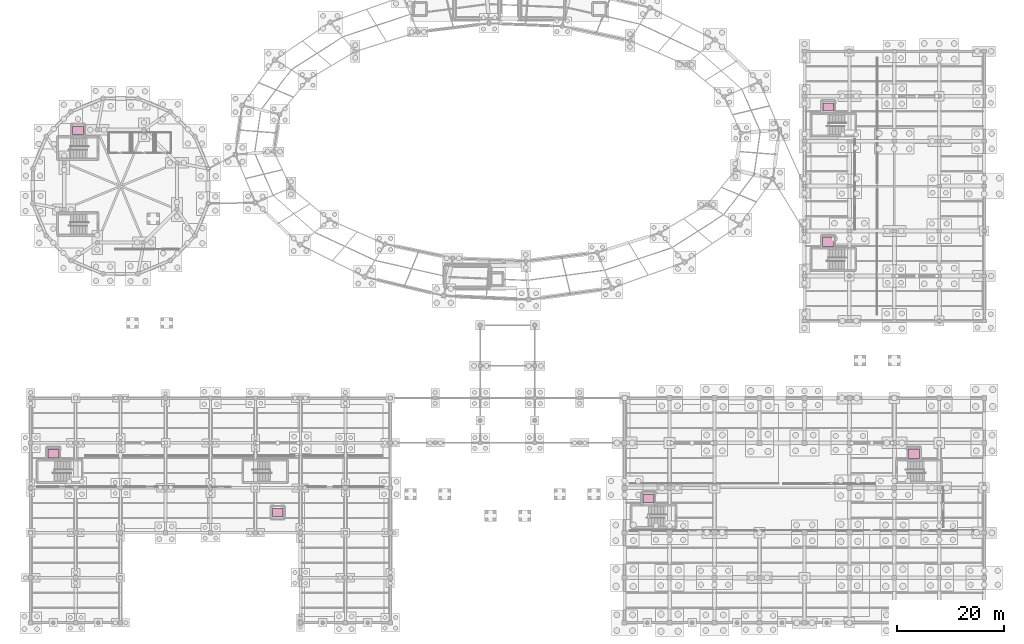
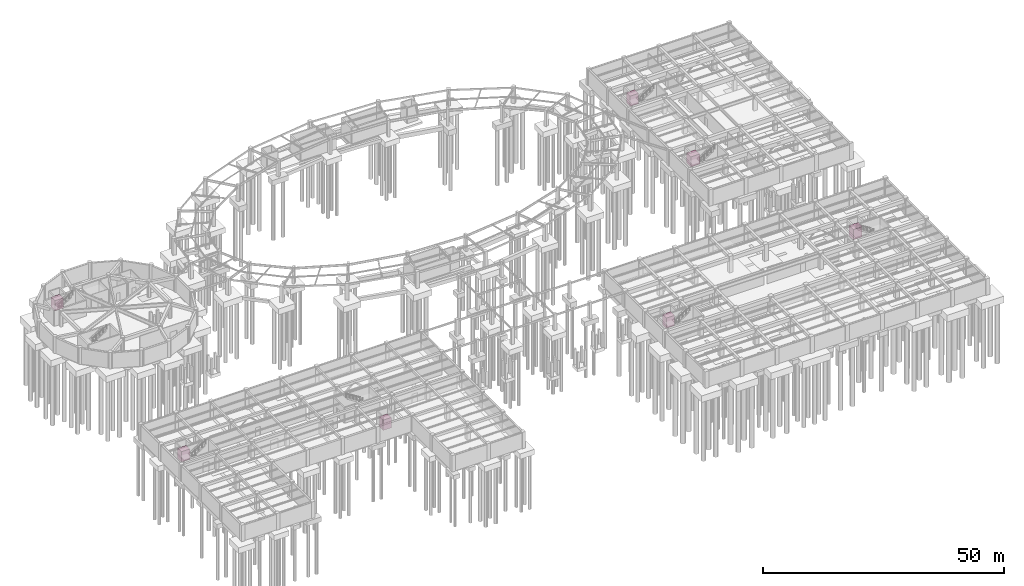
# One storey, part 38 of 38: 7 transport elements.
"""IFC4 building model written with IfcOpenShell, lengths in metres."""

from ifc_helpers import new_model, si_unit, direction, frame, origin, origin_2d, place, context, subcontext, project, spatial, rectangle, extrude, material, type_object, element, save


model = new_model("IFC4")

# Units and contexts
model_context = context("Model", 3, precision=1e-05, world=origin(), true_north=direction((0.0, 1.0)))
body_context = subcontext(model_context, "Body", "Model", "MODEL_VIEW")
ifc_project = project(units=[si_unit("LENGTHUNIT", "METRE"), si_unit("AREAUNIT", "SQUARE_METRE"), si_unit("VOLUMEUNIT", "CUBIC_METRE"), si_unit("PLANEANGLEUNIT", "RADIAN"), si_unit("MASSUNIT", "GRAM", prefix="KILO"), si_unit("THERMODYNAMICTEMPERATUREUNIT", "KELVIN"), si_unit("POWERUNIT", "WATT")], contexts=[model_context])

# Site, building, storey
site_placement = place(None, origin())
site = spatial("IfcSite", under=ifc_project, at=site_placement, CompositionType="ELEMENT")
building_placement = place(site_placement, origin())
building = spatial("IfcBuilding", under=site, at=building_placement, Name="Darbajah Civic Hall", CompositionType="ELEMENT")
storey_placement = place(building_placement, frame((0.0, 0.0, -4.199951171875)))
storey = spatial("IfcBuildingStorey", under=building, at=storey_placement, Name="B01", CompositionType="ELEMENT", Elevation=-4.199951171875)

# Transport elements
ifc_material = material(Name="Stainless Steel Lift Car Assembly", Category="steel")
transport_element_type_1 = type_object("IfcTransportElementType", Name="Goods and Archive Lift 2000kg", PredefinedType="ELEVATOR", material=ifc_material)
for number, where, z_axis, x_axis, name in (
    (1, (165.050048828125, 31.60009765625, 0.0), (0.0, 0.0, 1.0), (1.0, 0.0, 0.0), "Lift GL1"),
    (2, (149.050048828125, 71.199951171875, 0.0), (0.0, 0.0, 1.0), (1.0, 0.0, 0.0), "Lift BL1"),
):
    element("IfcTransportElement", number, at=place(storey_placement, frame(where, z_axis=z_axis, x_axis=x_axis)), inside=storey, type_object=transport_element_type_1, Name=name, PredefinedType="ELEVATOR", context=body_context, shape_type="SweptSolid", body=[
        extrude(rectangle(XDim=2.14990234375, YDim=1.75, at=origin_2d()), origin(), (0.0, 0.0, 1.0), 2.60009765625),
    ])
transport_element_type_2 = type_object("IfcTransportElementType", Name="Passenger Lift 1350kg", PredefinedType="ELEVATOR", material=ifc_material)
for number, where, z_axis, x_axis, name in (
    (3, (8.85009765625, 92.0, 0.0), (0.0, 0.0, 1.0), (1.0, 0.0, 0.0), "Lift PL2"),
    (4, (115.449951171875, 23.199951171875, 0.0), (0.0, 0.0, 1.0), (1.0, 0.0, 0.0), "Lift PL3"),
    (5, (149.050048828125, 96.39990234375, 0.0), (0.0, 0.0, 1.0), (1.0, 0.0, 0.0), "Lift PL4"),
    (6, (4.25, 31.60009765625, 0.0), (0.0, 0.0, 1.0), (1.0, 0.0, 0.0), "Lift PL5"),
    (7, (46.14990234375, 20.60009765625, 0.0), (0.0, 0.0, 1.0), (1.0, 0.0, 0.0), "Lift PL6"),
):
    element("IfcTransportElement", number, at=place(storey_placement, frame(where, z_axis=z_axis, x_axis=x_axis)), inside=storey, type_object=transport_element_type_2, Name=name, PredefinedType="ELEVATOR", context=body_context, shape_type="SweptSolid", body=[
        extrude(rectangle(XDim=2.0, YDim=1.550048828125, at=origin_2d()), origin(), (0.0, 0.0, 1.0), 2.60009765625),
    ])

save(model, "model.ifc")
